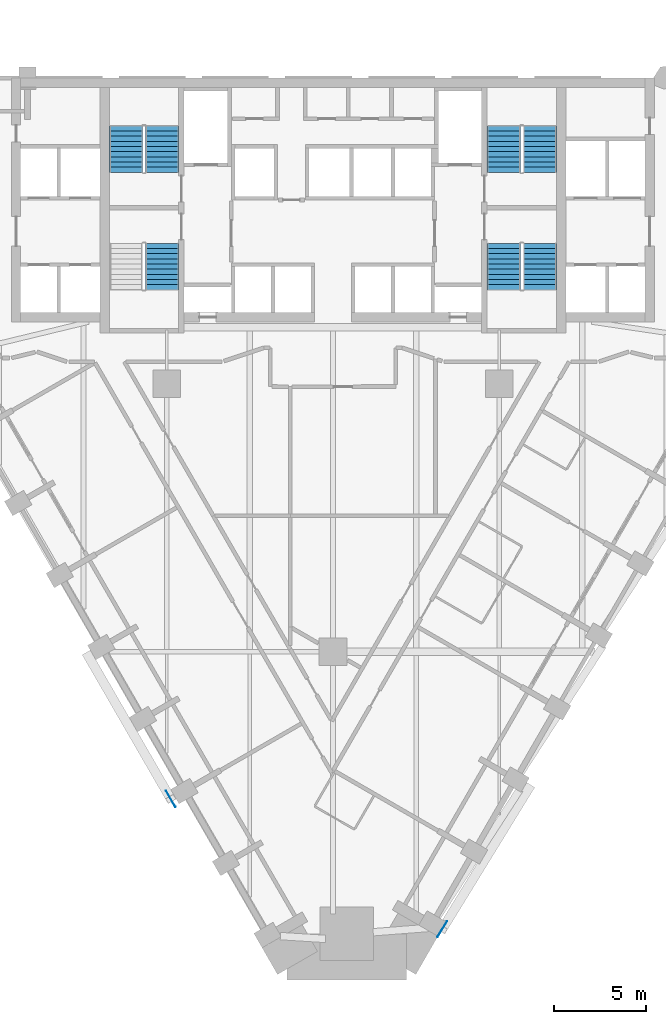
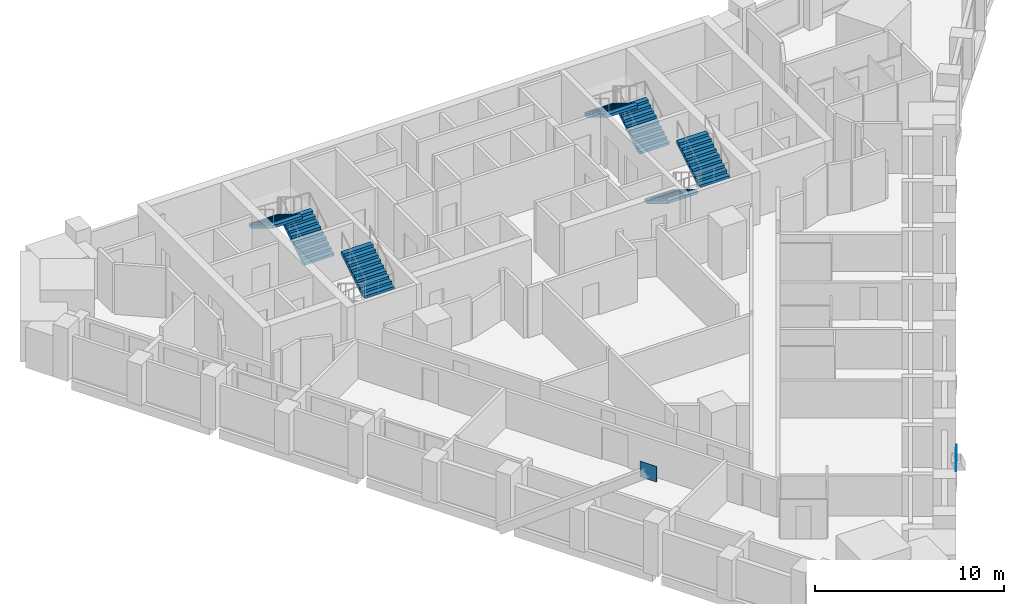
# One storey, part 10 of 11: 7 stair flights, 2 discrete accessories, 4 elements without a shape of their own.
"""IFC4 building model written with IfcOpenShell, lengths in metres."""

from ifc_helpers import new_model, si_unit, direction, frame, origin, origin_2d, place, context, subcontext, project, spatial, rectangle, extrude, faceted_brep, source, transform, mapped, material, type_object, element, aggregate, save


model = new_model("IFC4")

# Units and contexts
model_context = context("Model", 3, precision=1e-05, world=origin(), true_north=direction((0.0, 1.0)))
body_context = subcontext(model_context, "Body", "Model", "MODEL_VIEW")
ifc_project = project(units=[si_unit("LENGTHUNIT", "METRE"), si_unit("AREAUNIT", "SQUARE_METRE"), si_unit("VOLUMEUNIT", "CUBIC_METRE"), si_unit("PLANEANGLEUNIT", "RADIAN"), si_unit("MASSUNIT", "GRAM", prefix="KILO")], contexts=[model_context])

# Site, building, storey
site_placement = place(None, origin())
site = spatial("IfcSite", under=ifc_project, at=site_placement, CompositionType="ELEMENT")
building_placement = place(site_placement, origin())
building = spatial("IfcBuilding", under=site, at=building_placement, Name="Calabash Gate Tower", CompositionType="ELEMENT")
storey_placement = place(building_placement, frame((0.0, 0.0, 112.199951171875)))
storey = spatial("IfcBuildingStorey", under=building, at=storey_placement, Name="L25", CompositionType="ELEMENT", Elevation=112.199951171875)

# Stair, stair flights
ifc_material_1 = material(Name="Concrete C40/50", Category="concrete")
stair_type = type_object("IfcStairType", Name="Exit stair 20 risers of 170 mm", PredefinedType="HALF_TURN_STAIR", material=ifc_material_1)
stair_1_placement = place(storey_placement, origin())
stair_1 = element("IfcStair", 1, at=stair_1_placement, inside=storey, type_object=stair_type, Name="L25 Exit stair ST1", PredefinedType="HALF_TURN_STAIR")
ifc_material_2 = material(Name="Concrete C40/50", Category="concrete")
stair_flight_type = type_object("IfcStairFlightType", Name="Exit stair flight SFL", PredefinedType="STRAIGHT", material=ifc_material_2)
shared_shape = source(origin(), body_context, "Body", "Brep", [
    faceted_brep([(-0.0009765625, -0.89990234375, 0.0), (0.2880859375, -0.89990234375, 0.0), (2.511962890625, -0.89990234375, 1.3544921875), (-0.0009765625, 0.89990234375, 0.0), (2.511962890625, 0.89990234375, 1.3544921875), (0.2880859375, 0.89990234375, 0.0), (2.511962890625, -0.89990234375, 1.5419921875), (2.510986328125, -0.89990234375, 1.5419921875), (2.510986328125, 0.89990234375, 1.5419921875), (2.511962890625, 0.89990234375, 1.5419921875), (2.510986328125, -0.89990234375, 1.530029296875), (2.510986328125, 0.89990234375, 1.530029296875), (2.23193359375, -0.89990234375, 1.530029296875), (2.23193359375, 0.89990234375, 1.530029296875), (2.23193359375, -0.89990234375, 1.360107421875), (2.23193359375, 0.89990234375, 1.360107421875), (1.952880859375, -0.89990234375, 1.360107421875), (1.952880859375, 0.89990234375, 1.360107421875), (1.952880859375, -0.89990234375, 1.18994140625), (1.952880859375, 0.89990234375, 1.18994140625), (1.674072265625, -0.89990234375, 1.18994140625), (1.674072265625, -0.89990234375, 1.02001953125), (1.674072265625, 0.89990234375, 1.02001953125), (1.674072265625, 0.89990234375, 1.18994140625), (1.39501953125, -0.89990234375, 1.02001953125), (1.39501953125, -0.89990234375, 0.85009765625), (1.39501953125, 0.89990234375, 0.85009765625), (1.39501953125, 0.89990234375, 1.02001953125), (1.115966796875, -0.89990234375, 0.85009765625), (1.115966796875, -0.89990234375, 0.679931640625), (1.115966796875, 0.89990234375, 0.679931640625), (1.115966796875, 0.89990234375, 0.85009765625), (0.8369140625, -0.89990234375, 0.679931640625), (0.8369140625, -0.89990234375, 0.510009765625), (0.8369140625, 0.89990234375, 0.510009765625), (0.8369140625, 0.89990234375, 0.679931640625), (0.55810546875, -0.89990234375, 0.510009765625), (0.55810546875, -0.89990234375, 0.340087890625), (0.55810546875, 0.89990234375, 0.340087890625), (0.55810546875, 0.89990234375, 0.510009765625), (0.279052734375, -0.89990234375, 0.340087890625), (0.279052734375, -0.89990234375, 0.169921875), (0.279052734375, 0.89990234375, 0.169921875), (0.279052734375, 0.89990234375, 0.340087890625), (-0.0009765625, -0.89990234375, 0.169921875), (-0.0009765625, 0.89990234375, 0.169921875), (0.2880859375, -0.360107421875, 0.0), (2.511962890625, -0.360107421875, 1.3544921875), (0.2880859375, -0.179931640625, 0.0), (2.511962890625, -0.179931640625, 1.3544921875), (0.2880859375, 0.0, 0.0), (2.511962890625, 0.0, 1.3544921875), (0.2880859375, 0.179931640625, 0.0), (2.511962890625, 0.179931640625, 1.3544921875), (0.2880859375, 0.360107421875, 0.0), (2.511962890625, 0.360107421875, 1.3544921875), (2.511962890625, -0.360107421875, 1.5419921875), (2.511962890625, -0.179931640625, 1.5419921875), (2.511962890625, 0.0, 1.5419921875), (2.511962890625, 0.179931640625, 1.5419921875), (2.511962890625, 0.360107421875, 1.5419921875), (2.510986328125, -0.360107421875, 1.5419921875), (2.510986328125, -0.179931640625, 1.5419921875), (2.510986328125, 0.0, 1.5419921875), (2.510986328125, 0.179931640625, 1.5419921875), (2.510986328125, 0.360107421875, 1.5419921875), (2.510986328125, -0.360107421875, 1.530029296875), (2.510986328125, -0.179931640625, 1.530029296875), (2.510986328125, 0.0, 1.530029296875), (2.510986328125, 0.179931640625, 1.530029296875), (2.510986328125, 0.360107421875, 1.530029296875), (2.23193359375, -0.360107421875, 1.530029296875), (2.23193359375, -0.179931640625, 1.530029296875), (2.23193359375, 0.0, 1.530029296875), (2.23193359375, 0.179931640625, 1.530029296875), (2.23193359375, 0.360107421875, 1.530029296875), (2.23193359375, -0.360107421875, 1.360107421875), (2.23193359375, -0.179931640625, 1.360107421875), (2.23193359375, 0.0, 1.360107421875), (2.23193359375, 0.179931640625, 1.360107421875), (2.23193359375, 0.360107421875, 1.360107421875), (1.952880859375, -0.360107421875, 1.360107421875), (1.952880859375, -0.179931640625, 1.360107421875), (1.952880859375, 0.0, 1.360107421875), (1.952880859375, 0.179931640625, 1.360107421875), (1.952880859375, 0.360107421875, 1.360107421875), (1.952880859375, -0.360107421875, 1.18994140625), (1.952880859375, -0.179931640625, 1.18994140625), (1.952880859375, 0.0, 1.18994140625), (1.952880859375, 0.179931640625, 1.18994140625), (1.952880859375, 0.360107421875, 1.18994140625), (1.674072265625, -0.360107421875, 1.18994140625), (1.674072265625, -0.179931640625, 1.18994140625), (1.674072265625, 0.0, 1.18994140625), (1.674072265625, 0.179931640625, 1.18994140625), (1.674072265625, 0.360107421875, 1.18994140625), (1.674072265625, -0.360107421875, 1.02001953125), (1.674072265625, -0.179931640625, 1.02001953125), (1.674072265625, 0.0, 1.02001953125), (1.674072265625, 0.179931640625, 1.02001953125), (1.674072265625, 0.360107421875, 1.02001953125), (1.39501953125, -0.360107421875, 1.02001953125), (1.39501953125, -0.179931640625, 1.02001953125), (1.39501953125, 0.0, 1.02001953125), (1.39501953125, 0.179931640625, 1.02001953125), (1.39501953125, 0.360107421875, 1.02001953125), (1.39501953125, -0.360107421875, 0.85009765625), (1.39501953125, -0.179931640625, 0.85009765625), (1.39501953125, 0.0, 0.85009765625), (1.39501953125, 0.179931640625, 0.85009765625), (1.39501953125, 0.360107421875, 0.85009765625), (1.115966796875, -0.360107421875, 0.85009765625), (1.115966796875, -0.179931640625, 0.85009765625), (1.115966796875, 0.0, 0.85009765625), (1.115966796875, 0.179931640625, 0.85009765625), (1.115966796875, 0.360107421875, 0.85009765625), (1.115966796875, -0.360107421875, 0.679931640625), (1.115966796875, -0.179931640625, 0.679931640625), (1.115966796875, 0.0, 0.679931640625), (1.115966796875, 0.179931640625, 0.679931640625), (1.115966796875, 0.360107421875, 0.679931640625), (0.8369140625, -0.360107421875, 0.679931640625), (0.8369140625, -0.179931640625, 0.679931640625), (0.8369140625, 0.0, 0.679931640625), (0.8369140625, 0.179931640625, 0.679931640625), (0.8369140625, 0.360107421875, 0.679931640625), (0.8369140625, -0.360107421875, 0.510009765625), (0.8369140625, -0.179931640625, 0.510009765625), (0.8369140625, 0.0, 0.510009765625), (0.8369140625, 0.179931640625, 0.510009765625), (0.8369140625, 0.360107421875, 0.510009765625), (0.55810546875, -0.360107421875, 0.510009765625), (0.55810546875, -0.179931640625, 0.510009765625), (0.55810546875, 0.0, 0.510009765625), (0.55810546875, 0.179931640625, 0.510009765625), (0.55810546875, 0.360107421875, 0.510009765625), (0.55810546875, -0.360107421875, 0.340087890625), (0.55810546875, -0.179931640625, 0.340087890625), (0.55810546875, 0.0, 0.340087890625), (0.55810546875, 0.179931640625, 0.340087890625), (0.55810546875, 0.360107421875, 0.340087890625), (0.279052734375, -0.360107421875, 0.340087890625), (0.279052734375, -0.179931640625, 0.340087890625), (0.279052734375, 0.0, 0.340087890625), (0.279052734375, 0.179931640625, 0.340087890625), (0.279052734375, 0.360107421875, 0.340087890625), (0.279052734375, -0.360107421875, 0.169921875), (0.279052734375, -0.179931640625, 0.169921875), (0.279052734375, 0.0, 0.169921875), (0.279052734375, 0.179931640625, 0.169921875), (0.279052734375, 0.360107421875, 0.169921875), (-0.0009765625, -0.360107421875, 0.169921875), (-0.0009765625, -0.179931640625, 0.169921875), (-0.0009765625, 0.0, 0.169921875), (-0.0009765625, 0.179931640625, 0.169921875), (-0.0009765625, 0.360107421875, 0.169921875), (-0.0009765625, -0.360107421875, 0.0), (-0.0009765625, -0.179931640625, 0.0), (-0.0009765625, 0.0, 0.0), (-0.0009765625, 0.179931640625, 0.0), (-0.0009765625, 0.360107421875, 0.0)], [[[0, 1, 2]], [[3, 4, 5]], [[2, 6, 7]], [[4, 8, 9]], [[2, 7, 10]], [[4, 11, 8]], [[2, 10, 12]], [[4, 13, 11]], [[2, 12, 14]], [[4, 15, 13]], [[2, 14, 16]], [[4, 17, 15]], [[2, 16, 18]], [[4, 19, 17]], [[18, 20, 21]], [[19, 22, 23]], [[2, 18, 21]], [[4, 22, 19]], [[21, 24, 25]], [[22, 26, 27]], [[2, 21, 25]], [[4, 26, 22]], [[25, 28, 29]], [[26, 30, 31]], [[2, 25, 29]], [[4, 30, 26]], [[29, 32, 33]], [[30, 34, 35]], [[2, 29, 33]], [[4, 34, 30]], [[33, 36, 37]], [[34, 38, 39]], [[2, 33, 37]], [[4, 38, 34]], [[37, 40, 41]], [[38, 42, 43]], [[2, 37, 41]], [[4, 42, 38]], [[0, 2, 41]], [[3, 42, 4]], [[41, 44, 0]], [[42, 3, 45]], [[1, 46, 2]], [[46, 47, 2]], [[46, 48, 47]], [[48, 49, 47]], [[48, 50, 49]], [[50, 51, 49]], [[50, 52, 53]], [[50, 53, 51]], [[52, 54, 55]], [[52, 55, 53]], [[54, 5, 4]], [[54, 4, 55]], [[2, 47, 6]], [[47, 56, 6]], [[47, 49, 56]], [[49, 57, 56]], [[49, 51, 57]], [[51, 58, 57]], [[51, 53, 59]], [[51, 59, 58]], [[53, 55, 60]], [[53, 60, 59]], [[55, 4, 9]], [[55, 9, 60]], [[6, 56, 7]], [[56, 61, 7]], [[56, 57, 61]], [[57, 62, 61]], [[57, 58, 62]], [[58, 63, 62]], [[58, 59, 64]], [[58, 64, 63]], [[59, 60, 65]], [[59, 65, 64]], [[60, 9, 8]], [[60, 8, 65]], [[7, 61, 10]], [[61, 66, 10]], [[61, 62, 66]], [[62, 67, 66]], [[62, 63, 67]], [[63, 68, 67]], [[63, 64, 69]], [[63, 69, 68]], [[64, 65, 70]], [[64, 70, 69]], [[65, 8, 11]], [[65, 11, 70]], [[10, 66, 12]], [[66, 71, 12]], [[66, 67, 71]], [[67, 72, 71]], [[67, 68, 72]], [[68, 73, 72]], [[68, 69, 74]], [[68, 74, 73]], [[69, 70, 75]], [[69, 75, 74]], [[70, 11, 13]], [[70, 13, 75]], [[12, 71, 14]], [[71, 76, 14]], [[71, 72, 76]], [[72, 77, 76]], [[72, 73, 77]], [[73, 78, 77]], [[73, 74, 79]], [[73, 79, 78]], [[74, 75, 80]], [[74, 80, 79]], [[75, 13, 15]], [[75, 15, 80]], [[14, 76, 16]], [[76, 81, 16]], [[76, 77, 81]], [[77, 82, 81]], [[77, 78, 82]], [[78, 83, 82]], [[78, 79, 84]], [[78, 84, 83]], [[79, 80, 85]], [[79, 85, 84]], [[80, 15, 17]], [[80, 17, 85]], [[16, 81, 18]], [[81, 86, 18]], [[81, 82, 86]], [[82, 87, 86]], [[82, 83, 87]], [[83, 88, 87]], [[83, 84, 89]], [[83, 89, 88]], [[84, 85, 90]], [[84, 90, 89]], [[85, 17, 19]], [[85, 19, 90]], [[18, 86, 20]], [[86, 91, 20]], [[86, 87, 91]], [[87, 92, 91]], [[87, 88, 92]], [[88, 93, 92]], [[88, 89, 94]], [[88, 94, 93]], [[89, 90, 95]], [[89, 95, 94]], [[90, 19, 23]], [[90, 23, 95]], [[20, 91, 21]], [[91, 96, 21]], [[91, 92, 96]], [[92, 97, 96]], [[92, 93, 97]], [[93, 98, 97]], [[93, 94, 99]], [[93, 99, 98]], [[94, 95, 100]], [[94, 100, 99]], [[95, 23, 22]], [[95, 22, 100]], [[21, 96, 24]], [[96, 101, 24]], [[96, 97, 101]], [[97, 102, 101]], [[97, 98, 102]], [[98, 103, 102]], [[98, 99, 104]], [[98, 104, 103]], [[99, 100, 105]], [[99, 105, 104]], [[100, 22, 27]], [[100, 27, 105]], [[24, 101, 25]], [[101, 106, 25]], [[101, 102, 106]], [[102, 107, 106]], [[102, 103, 107]], [[103, 108, 107]], [[103, 104, 109]], [[103, 109, 108]], [[104, 105, 110]], [[104, 110, 109]], [[105, 27, 26]], [[105, 26, 110]], [[25, 106, 28]], [[106, 111, 28]], [[106, 107, 111]], [[107, 112, 111]], [[107, 108, 112]], [[108, 113, 112]], [[108, 109, 114]], [[108, 114, 113]], [[109, 110, 115]], [[109, 115, 114]], [[110, 26, 31]], [[110, 31, 115]], [[28, 111, 29]], [[111, 116, 29]], [[111, 112, 116]], [[112, 117, 116]], [[112, 113, 117]], [[113, 118, 117]], [[113, 114, 119]], [[113, 119, 118]], [[114, 115, 120]], [[114, 120, 119]], [[115, 31, 30]], [[115, 30, 120]], [[29, 116, 32]], [[116, 121, 32]], [[116, 117, 121]], [[117, 122, 121]], [[117, 118, 122]], [[118, 123, 122]], [[118, 119, 124]], [[118, 124, 123]], [[119, 120, 125]], [[119, 125, 124]], [[120, 30, 35]], [[120, 35, 125]], [[32, 121, 33]], [[121, 126, 33]], [[121, 122, 126]], [[122, 127, 126]], [[122, 123, 127]], [[123, 128, 127]], [[123, 124, 129]], [[123, 129, 128]], [[124, 125, 130]], [[124, 130, 129]], [[125, 35, 34]], [[125, 34, 130]], [[33, 126, 36]], [[126, 131, 36]], [[126, 127, 131]], [[127, 132, 131]], [[127, 128, 132]], [[128, 133, 132]], [[128, 129, 134]], [[128, 134, 133]], [[129, 130, 135]], [[129, 135, 134]], [[130, 34, 39]], [[130, 39, 135]], [[36, 131, 37]], [[131, 136, 37]], [[131, 132, 136]], [[132, 137, 136]], [[132, 133, 137]], [[133, 138, 137]], [[133, 134, 139]], [[133, 139, 138]], [[134, 135, 140]], [[134, 140, 139]], [[135, 39, 38]], [[135, 38, 140]], [[37, 136, 40]], [[136, 141, 40]], [[136, 137, 141]], [[137, 142, 141]], [[137, 138, 142]], [[138, 143, 142]], [[138, 139, 144]], [[138, 144, 143]], [[139, 140, 145]], [[139, 145, 144]], [[140, 38, 43]], [[140, 43, 145]], [[40, 141, 41]], [[141, 146, 41]], [[141, 142, 146]], [[142, 147, 146]], [[142, 143, 147]], [[143, 148, 147]], [[143, 144, 149]], [[143, 149, 148]], [[144, 145, 150]], [[144, 150, 149]], [[145, 43, 42]], [[145, 42, 150]], [[41, 146, 44]], [[146, 151, 44]], [[146, 147, 151]], [[147, 152, 151]], [[147, 148, 152]], [[148, 153, 152]], [[148, 149, 154]], [[148, 154, 153]], [[149, 150, 155]], [[149, 155, 154]], [[150, 42, 45]], [[150, 45, 155]], [[44, 151, 0]], [[151, 156, 0]], [[151, 152, 156]], [[152, 157, 156]], [[152, 153, 157]], [[153, 158, 157]], [[153, 154, 159]], [[153, 159, 158]], [[154, 155, 160]], [[154, 160, 159]], [[155, 45, 3]], [[155, 3, 160]], [[0, 156, 1]], [[156, 46, 1]], [[156, 157, 46]], [[157, 48, 46]], [[157, 158, 48]], [[158, 50, 48]], [[158, 159, 52]], [[158, 52, 50]], [[159, 160, 54]], [[159, 54, 52]], [[160, 3, 5]], [[160, 5, 54]]]),
])
stair_flight_1_placement = place(storey_placement, frame((-9.25, 13.95263671875, 0.0), z_axis=(0.0, 0.0, 1.0), x_axis=(0.0, 1.0, 0.0)))
stair_flight_1 = element("IfcStairFlight", 2, at=stair_flight_1_placement, type_object=stair_flight_type, Name="ST1 flight 1", NumberOfRisers=10, NumberOfTreads=9, PredefinedType="STRAIGHT", RiserHeight=0.17, TreadLength=0.279, context=body_context, shape_type="MappedRepresentation", body=[
    mapped(shared_shape, transform((0.0, 0.0, 0.0), scale=1.0)),
])
stair_flight_2_placement = place(storey_placement, frame((-11.199951171875, 16.463623046875, 1.699951171875), z_axis=(0.0, 0.0, 1.0), x_axis=(0.0, -1.0, 0.0)))
stair_flight_2 = element("IfcStairFlight", 3, at=stair_flight_2_placement, type_object=stair_flight_type, Name="ST1 flight 2", NumberOfRisers=10, NumberOfTreads=9, PredefinedType="STRAIGHT", RiserHeight=0.17, TreadLength=0.279, context=body_context, shape_type="MappedRepresentation", body=[
    mapped(shared_shape, transform((0.0, 0.0, 0.0), scale=1.0)),
])
aggregate(stair_1, [stair_flight_1, stair_flight_2])

# Stair, stair flight
stair_2_placement = place(storey_placement, origin())
stair_2 = element("IfcStair", 4, at=stair_2_placement, inside=storey, type_object=stair_type, Name="L25 Exit stair ST2", PredefinedType="HALF_TURN_STAIR")
stair_flight_3_placement = place(storey_placement, frame((-9.25, 7.591552734375, 1.699951171875), z_axis=(0.0, 0.0, 1.0), x_axis=(0.0, 1.0, 0.0)))
stair_flight_3 = element("IfcStairFlight", 5, at=stair_flight_3_placement, type_object=stair_flight_type, Name="ST2 flight 2", NumberOfRisers=10, NumberOfTreads=9, PredefinedType="STRAIGHT", RiserHeight=0.17, TreadLength=0.279, context=body_context, shape_type="MappedRepresentation", body=[
    mapped(shared_shape, transform((0.0, 0.0, 0.0), scale=1.0)),
])
aggregate(stair_2, [stair_flight_3])

# Stair, stair flights
stair_3_placement = place(storey_placement, origin())
stair_3 = element("IfcStair", 6, at=stair_3_placement, inside=storey, type_object=stair_type, Name="L25 Exit stair ST3", PredefinedType="HALF_TURN_STAIR")
stair_flight_4_placement = place(storey_placement, frame((11.199951171875, 13.95263671875, 0.0), z_axis=(0.0, 0.0, 1.0), x_axis=(0.0, 1.0, 0.0)))
stair_flight_4 = element("IfcStairFlight", 7, at=stair_flight_4_placement, type_object=stair_flight_type, Name="ST3 flight 1", NumberOfRisers=10, NumberOfTreads=9, PredefinedType="STRAIGHT", RiserHeight=0.17, TreadLength=0.279, context=body_context, shape_type="MappedRepresentation", body=[
    mapped(shared_shape, transform((0.0, 0.0, 0.0), scale=1.0)),
])
stair_flight_5_placement = place(storey_placement, frame((9.25, 16.463623046875, 1.699951171875), z_axis=(0.0, 0.0, 1.0), x_axis=(0.0, -1.0, 0.0)))
stair_flight_5 = element("IfcStairFlight", 8, at=stair_flight_5_placement, type_object=stair_flight_type, Name="ST3 flight 2", NumberOfRisers=10, NumberOfTreads=9, PredefinedType="STRAIGHT", RiserHeight=0.17, TreadLength=0.279, context=body_context, shape_type="MappedRepresentation", body=[
    mapped(shared_shape, transform((0.0, 0.0, 0.0), scale=1.0)),
])
aggregate(stair_3, [stair_flight_4, stair_flight_5])

stair_4_placement = place(storey_placement, origin())
stair_4 = element("IfcStair", 9, at=stair_4_placement, inside=storey, type_object=stair_type, Name="L25 Exit stair ST4", PredefinedType="HALF_TURN_STAIR")
stair_flight_6_placement = place(storey_placement, frame((9.25, 10.1025390625, 0.0), z_axis=(0.0, 0.0, 1.0), x_axis=(0.0, -1.0, 0.0)))
stair_flight_6 = element("IfcStairFlight", 10, at=stair_flight_6_placement, type_object=stair_flight_type, Name="ST4 flight 1", NumberOfRisers=10, NumberOfTreads=9, PredefinedType="STRAIGHT", RiserHeight=0.17, TreadLength=0.279, context=body_context, shape_type="MappedRepresentation", body=[
    mapped(shared_shape, transform((0.0, 0.0, 0.0), scale=1.0)),
])
stair_flight_7_placement = place(storey_placement, frame((11.199951171875, 7.591552734375, 1.699951171875), z_axis=(0.0, 0.0, 1.0), x_axis=(0.0, 1.0, 0.0)))
stair_flight_7 = element("IfcStairFlight", 11, at=stair_flight_7_placement, type_object=stair_flight_type, Name="ST4 flight 2", NumberOfRisers=10, NumberOfTreads=9, PredefinedType="STRAIGHT", RiserHeight=0.17, TreadLength=0.279, context=body_context, shape_type="MappedRepresentation", body=[
    mapped(shared_shape, transform((0.0, 0.0, 0.0), scale=1.0)),
])
aggregate(stair_4, [stair_flight_6, stair_flight_7])

# Discrete accessories
ifc_material_3 = material(Name="Steel ASTM A572 Gr50", Category="steel")
discrete_accessory_type = type_object("IfcDiscreteAccessoryType", Name="Connection plate 25", PredefinedType="BRACKET", material=ifc_material_3)
for number, where, z_axis, x_axis, name in (
    (12, (-8.778564453125, -19.9677734375, 6.293701171875), (0.0, 0.0, 1.0), (0.50000003023, -0.866025386331, 0.0), "Connection plate Mega-brace SW Z2 14 end"),
    (13, (5.9169921875, -27.012939453125, 6.293701171875), (0.0, 0.0, 1.0), (-0.523134434515, -0.852250176547, 0.0), "Connection plate Mega-brace SE Z2 19 end"),
):
    element("IfcDiscreteAccessory", number, at=place(storey_placement, frame(where, z_axis=z_axis, x_axis=x_axis)), inside=storey, type_object=discrete_accessory_type, Name=name, PredefinedType="BRACKET", context=body_context, shape_type="SweptSolid", body=[
        extrude(rectangle(XDim=1.0126953125, YDim=0.02490234375, at=origin_2d()), origin(), (0.0, 0.0, 1.0), 1.0126953125),
    ])

save(model, "model.ifc")
